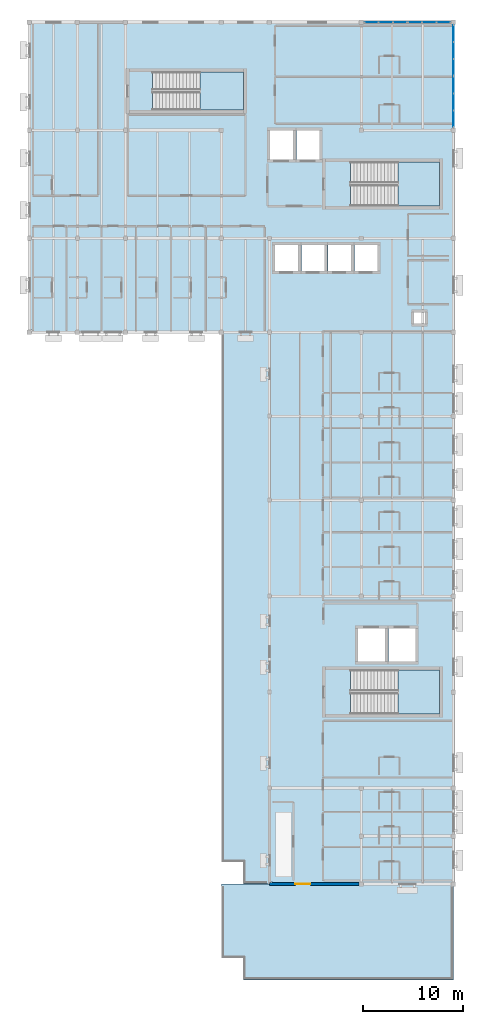
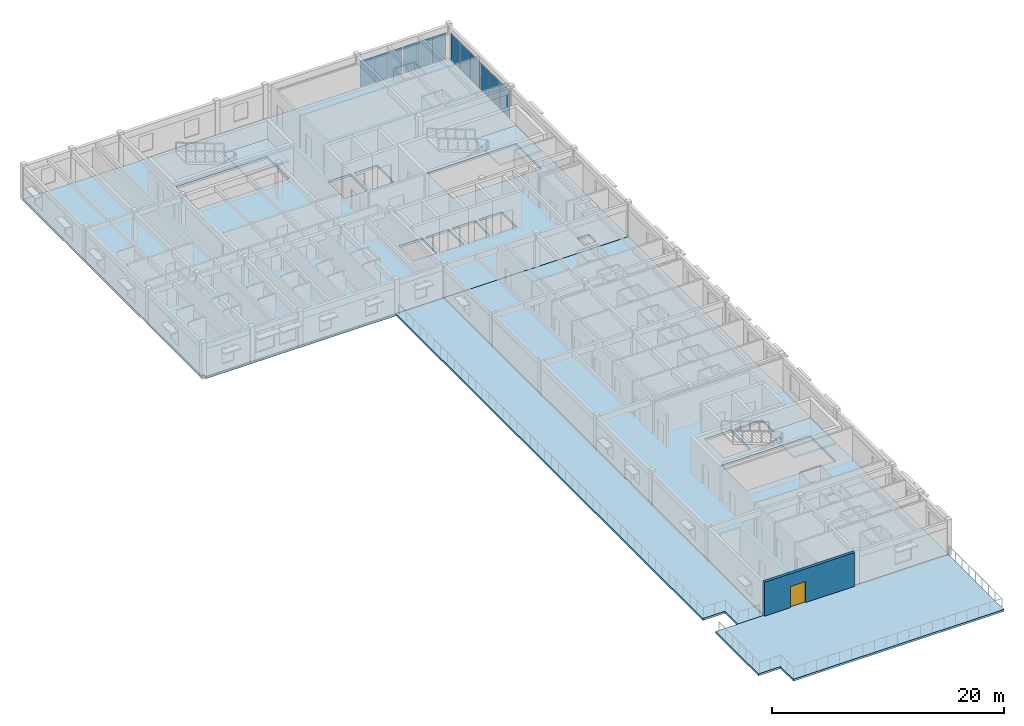
# One storey, part 4 of 18: 12 plates, 7 slabs, 1 door, 1 wall, 1 opening, 7 elements without a shape of their own.
"""IFC4 building model written with IfcOpenShell, lengths in metres."""

from ifc_helpers import new_model, si_unit, direction, frame, frame_2d, origin, origin_2d, place, context, subcontext, project, spatial, polyline, rectangle, outline, extrude, material, layer, layer_set, type_object, element, fill, aggregate, save


model = new_model("IFC4")

# Units and contexts
model_context = context("Model", 3, precision=1e-05, world=origin(), true_north=direction((0.0, 1.0)))
body_context = subcontext(model_context, "Body", "Model", "MODEL_VIEW")
ifc_project = project(units=[si_unit("LENGTHUNIT", "METRE"), si_unit("AREAUNIT", "SQUARE_METRE"), si_unit("VOLUMEUNIT", "CUBIC_METRE"), si_unit("PLANEANGLEUNIT", "RADIAN"), si_unit("MASSUNIT", "GRAM", prefix="KILO")], contexts=[model_context])

# Site, building, storey
site_placement = place(None, origin())
site = spatial("IfcSite", under=ifc_project, at=site_placement, CompositionType="ELEMENT")
building_placement = place(site_placement, origin())
building = spatial("IfcBuilding", under=site, at=building_placement, Name="Veldera Park Congress Hotel", CompositionType="ELEMENT")
storey_placement = place(building_placement, frame((0.0, 0.0, 31.39990234375)))
storey = spatial("IfcBuildingStorey", under=building, at=storey_placement, Name="L07", CompositionType="ELEMENT", Elevation=31.39990234375)

# Curtain wall, plates
ifc_material_1 = material(Name="Low-E Triple Insulating Glass Unit (SHGC 0.22)", Category="glass")
curtain_wall_type = type_object("IfcCurtainWallType", Name="CW-HTL", PredefinedType="NOTDEFINED", material=ifc_material_1)
curtain_wall_1_placement = place(storey_placement, origin())
curtain_wall_1 = element("IfcCurtainWall", 1, at=curtain_wall_1_placement, inside=storey, type_object=curtain_wall_type, Name="L07 Curtain Wall CW3-HTLNE-L07-112", PredefinedType="NOTDEFINED")
ifc_layer_1 = layer(ifc_material_1, 0.028076171875)
ifc_layer_set_1 = layer_set([ifc_layer_1], Name="Low-E Triple Insulating Glass Unit (SHGC 0.22)")
plate_type = type_object("IfcPlateType", Name="CWP-IGU28", PredefinedType="CURTAIN_PANEL", material=ifc_layer_set_1)
plate_1_placement = place(storey_placement, frame((84.0, 48.333251953125, 0.06005859375), z_axis=(0.0, 0.0, 1.0), x_axis=(0.0, 1.0, 0.0)))
plate_1 = element("IfcPlate", 2, at=plate_1_placement, type_object=plate_type, Name="CW-HTL panel 1.1", PredefinedType="CURTAIN_PANEL", context=body_context, shape_type="SweptSolid", body=[
    extrude(rectangle(XDim=1.61669921875, YDim=0.028076171875, at=origin_2d()), origin(), (0.0, 0.0, 1.0), 2.85009765625),
])
plate_2_placement = place(storey_placement, frame((84.0, 50.02490234375, 0.06005859375), z_axis=(0.0, 0.0, 1.0), x_axis=(0.0, 1.0, 0.0)))
plate_2 = element("IfcPlate", 3, at=plate_2_placement, type_object=plate_type, Name="CW-HTL panel 2.1", PredefinedType="CURTAIN_PANEL", context=body_context, shape_type="SweptSolid", body=[
    extrude(rectangle(XDim=1.646728515625, YDim=0.028076171875, at=origin_2d()), origin(), (0.0, 0.0, 1.0), 2.85009765625),
])
plate_3_placement = place(storey_placement, frame((84.0, 51.716552734375, 0.06005859375), z_axis=(0.0, 0.0, 1.0), x_axis=(0.0, 1.0, 0.0)))
plate_3 = element("IfcPlate", 4, at=plate_3_placement, type_object=plate_type, Name="CW-HTL panel 3.1", PredefinedType="CURTAIN_PANEL", context=body_context, shape_type="SweptSolid", body=[
    extrude(rectangle(XDim=1.61669921875, YDim=0.028076171875, at=origin_2d()), origin(), (0.0, 0.0, 1.0), 2.85009765625),
])
aggregate(curtain_wall_1, [plate_1, plate_2, plate_3])

curtain_wall_2_placement = place(storey_placement, origin())
curtain_wall_2 = element("IfcCurtainWall", 5, at=curtain_wall_2_placement, inside=storey, type_object=curtain_wall_type, Name="L07 Curtain Wall CW3-HTLNE-L07-113", PredefinedType="NOTDEFINED")
plate_4_placement = place(storey_placement, frame((84.0, 53.4833984375, 0.06005859375), z_axis=(0.0, 0.0, 1.0), x_axis=(0.0, 1.0, 0.0)))
plate_4 = element("IfcPlate", 6, at=plate_4_placement, type_object=plate_type, Name="CW-HTL panel 1.1", PredefinedType="CURTAIN_PANEL", context=body_context, shape_type="SweptSolid", body=[
    extrude(rectangle(XDim=1.61669921875, YDim=0.028076171875, at=origin_2d()), origin(), (0.0, 0.0, 1.0), 2.85009765625),
])
plate_5_placement = place(storey_placement, frame((84.0, 55.175048828125, 0.06005859375), z_axis=(0.0, 0.0, 1.0), x_axis=(0.0, 1.0, 0.0)))
plate_5 = element("IfcPlate", 7, at=plate_5_placement, type_object=plate_type, Name="CW-HTL panel 2.1", PredefinedType="CURTAIN_PANEL", context=body_context, shape_type="SweptSolid", body=[
    extrude(rectangle(XDim=1.646728515625, YDim=0.028076171875, at=origin_2d()), origin(), (0.0, 0.0, 1.0), 2.85009765625),
])
plate_6_placement = place(storey_placement, frame((84.0, 56.86669921875, 0.06005859375), z_axis=(0.0, 0.0, 1.0), x_axis=(0.0, 1.0, 0.0)))
plate_6 = element("IfcPlate", 8, at=plate_6_placement, type_object=plate_type, Name="CW-HTL panel 3.1", PredefinedType="CURTAIN_PANEL", context=body_context, shape_type="SweptSolid", body=[
    extrude(rectangle(XDim=1.61669921875, YDim=0.028076171875, at=origin_2d()), origin(), (0.0, 0.0, 1.0), 2.85009765625),
])
aggregate(curtain_wall_2, [plate_4, plate_5, plate_6])

curtain_wall_3_placement = place(storey_placement, origin())
curtain_wall_3 = element("IfcCurtainWall", 9, at=curtain_wall_3_placement, inside=storey, type_object=curtain_wall_type, Name="L07 Curtain Wall CW3-HTLNN-L07-114", PredefinedType="NOTDEFINED")
plate_7_placement = place(storey_placement, frame((83.0, 58.0, 0.06005859375), z_axis=(0.0, 0.0, 1.0), x_axis=(-1.0, 0.0, 0.0)))
plate_7 = element("IfcPlate", 10, at=plate_7_placement, type_object=plate_type, Name="CW-HTL panel 1.1", PredefinedType="CURTAIN_PANEL", context=body_context, shape_type="SweptSolid", body=[
    extrude(rectangle(XDim=1.35009765625, YDim=0.028076171875, at=origin_2d()), origin(), (0.0, 0.0, 1.0), 2.75),
])
plate_8_placement = place(storey_placement, frame((81.574951171875, 58.0, 0.06005859375), z_axis=(0.0, 0.0, 1.0), x_axis=(-1.0, 0.0, 0.0)))
plate_8 = element("IfcPlate", 11, at=plate_8_placement, type_object=plate_type, Name="CW-HTL panel 2.1", PredefinedType="CURTAIN_PANEL", context=body_context, shape_type="SweptSolid", body=[
    extrude(rectangle(XDim=1.3798828125, YDim=0.028076171875, at=origin_2d()), origin(), (0.0, 0.0, 1.0), 2.75),
])
plate_9_placement = place(storey_placement, frame((80.14990234375, 58.0, 0.06005859375), z_axis=(0.0, 0.0, 1.0), x_axis=(-1.0, 0.0, 0.0)))
plate_9 = element("IfcPlate", 12, at=plate_9_placement, type_object=plate_type, Name="CW-HTL panel 3.1", PredefinedType="CURTAIN_PANEL", context=body_context, shape_type="SweptSolid", body=[
    extrude(rectangle(XDim=1.35009765625, YDim=0.028076171875, at=origin_2d()), origin(), (0.0, 0.0, 1.0), 2.75),
])
aggregate(curtain_wall_3, [plate_7, plate_8, plate_9])

curtain_wall_4_placement = place(storey_placement, origin())
curtain_wall_4 = element("IfcCurtainWall", 13, at=curtain_wall_4_placement, inside=storey, type_object=curtain_wall_type, Name="L07 Curtain Wall CW3-HTLNN-L07-115", PredefinedType="NOTDEFINED")
plate_10_placement = place(storey_placement, frame((78.64990234375, 58.0, 0.06005859375), z_axis=(0.0, 0.0, 1.0), x_axis=(-1.0, 0.0, 0.0)))
plate_10 = element("IfcPlate", 14, at=plate_10_placement, type_object=plate_type, Name="CW-HTL panel 1.1", PredefinedType="CURTAIN_PANEL", context=body_context, shape_type="SweptSolid", body=[
    extrude(rectangle(XDim=1.35009765625, YDim=0.028076171875, at=origin_2d()), origin(), (0.0, 0.0, 1.0), 2.75),
])
plate_11_placement = place(storey_placement, frame((77.22509765625, 58.0, 0.06005859375), z_axis=(0.0, 0.0, 1.0), x_axis=(-1.0, 0.0, 0.0)))
plate_11 = element("IfcPlate", 15, at=plate_11_placement, type_object=plate_type, Name="CW-HTL panel 2.1", PredefinedType="CURTAIN_PANEL", context=body_context, shape_type="SweptSolid", body=[
    extrude(rectangle(XDim=1.3798828125, YDim=0.028076171875, at=origin_2d()), origin(), (0.0, 0.0, 1.0), 2.75),
])
plate_12_placement = place(storey_placement, frame((75.800048828125, 58.0, 0.06005859375), z_axis=(0.0, 0.0, 1.0), x_axis=(-1.0, 0.0, 0.0)))
plate_12 = element("IfcPlate", 16, at=plate_12_placement, type_object=plate_type, Name="CW-HTL panel 3.1", PredefinedType="CURTAIN_PANEL", context=body_context, shape_type="SweptSolid", body=[
    extrude(rectangle(XDim=1.35009765625, YDim=0.028076171875, at=origin_2d()), origin(), (0.0, 0.0, 1.0), 2.75),
])
aggregate(curtain_wall_4, [plate_10, plate_11, plate_12])

# Slabs
ifc_material_2 = material(Name="Cross-laminated timber CLT V2M1.1", Category="wood")
ifc_layer_2 = layer(ifc_material_2, 0.2451171875)
ifc_layer_set_2 = layer_set([ifc_layer_2], Name="Cross-laminated timber CLT V2M1.1")
slab_type_1 = type_object("IfcSlabType", Name="SLB-CLT245", PredefinedType="FLOOR", material=ifc_layer_set_2)
slab_1_placement = place(storey_placement, frame((0.0, 0.0, -0.244873046875)))
element("IfcSlab", 17, at=slab_1_placement, inside=storey, type_object=slab_type_1, Name="L07 Hotel East Wing CLT Floor Deck SLB-L07-V4E", PredefinedType="FLOOR", context=body_context, shape_type="SweptSolid", body=[
    extrude(outline(polyline([(65.60009765625, -27.93994140625), (65.860107421875, -27.93994140625), (65.860107421875, -28.199951171875), (84.0, -28.199951171875), (84.0, 27.0), (65.60009765625, 27.0), (65.60009765625, -27.93994140625)]), holes=[polyline([(73.715087890625, -11.199951171875), (82.60009765625, -11.199951171875), (82.60009765625, -6.800048828125), (73.715087890625, -6.800048828125), (73.715087890625, -11.199951171875)]), polyline([(74.449951171875, -5.949951171875), (77.14990234375, -5.949951171875), (77.14990234375, -2.64990234375), (74.449951171875, -2.64990234375), (74.449951171875, -5.949951171875)]), polyline([(77.5, -5.949951171875), (80.199951171875, -5.949951171875), (80.199951171875, -2.64990234375), (77.5, -2.64990234375), (77.5, -5.949951171875)])]), origin(), (0.0, 0.0, 1.0), 0.244873046875),
])
slab_2_placement = place(storey_placement, frame((0.0, 0.0, -0.244873046875)))
element("IfcSlab", 18, at=slab_2_placement, inside=storey, type_object=slab_type_1, Name="L07 Hotel North Wing CLT Floor Deck SLB-L07-V4N", PredefinedType="FLOOR", context=body_context, shape_type="SweptSolid", body=[
    extrude(outline(polyline([(41.60009765625, 27.260009765625), (41.860107421875, 27.260009765625), (41.860107421875, 27.0), (84.0, 27.0), (84.0, 58.0), (41.60009765625, 58.0), (41.60009765625, 27.260009765625)]), holes=[polyline([(73.715087890625, 39.60009765625), (82.60009765625, 39.60009765625), (82.60009765625, 44.0), (73.715087890625, 44.0), (73.715087890625, 39.60009765625)]), polyline([(53.9150390625, 49.199951171875), (63.0, 49.199951171875), (63.0, 53.0), (53.9150390625, 53.0), (53.9150390625, 49.199951171875)]), polyline([(65.64990234375, 44.25), (67.949951171875, 44.25), (67.949951171875, 47.14990234375), (65.64990234375, 47.14990234375), (65.64990234375, 44.25)]), polyline([(68.300048828125, 44.25), (70.60009765625, 44.25), (70.60009765625, 47.14990234375), (68.300048828125, 47.14990234375), (68.300048828125, 44.25)]), polyline([(66.14990234375, 33.10009765625), (68.449951171875, 33.10009765625), (68.449951171875, 35.699951171875), (66.14990234375, 35.699951171875), (66.14990234375, 33.10009765625)]), polyline([(68.800048828125, 33.10009765625), (71.10009765625, 33.10009765625), (71.10009765625, 35.699951171875), (68.800048828125, 35.699951171875), (68.800048828125, 33.10009765625)]), polyline([(71.449951171875, 33.10009765625), (73.75, 33.10009765625), (73.75, 35.699951171875), (71.449951171875, 35.699951171875), (71.449951171875, 33.10009765625)]), polyline([(74.10009765625, 33.10009765625), (76.39990234375, 33.10009765625), (76.39990234375, 35.699951171875), (74.10009765625, 35.699951171875), (74.10009765625, 33.10009765625)]), polyline([(80.0, 27.800048828125), (81.199951171875, 27.800048828125), (81.199951171875, 29.0), (80.0, 29.0), (80.0, 27.800048828125)])]), origin(), (0.0, 0.0, 1.0), 0.244873046875),
])
ifc_material_3 = material(Name="Concrete f'c 40 MPa (5,800 psi)", Category="concrete")
ifc_layer_3 = layer(ifc_material_3, 0.2099609375)
ifc_layer_set_3 = layer_set([ifc_layer_3], Name="Concrete f'c 40 MPa (5,800 psi)")
slab_type_2 = type_object("IfcSlabType", Name="SLB-TER210", PredefinedType="FLOOR", material=ifc_layer_set_3)
slab_3_placement = place(storey_placement, frame((0.0, 0.0, -0.2099609375)))
element("IfcSlab", 19, at=slab_3_placement, inside=storey, type_object=slab_type_2, Name="L07 Stepped Hotel Terrace SLB-TER-L07-S", PredefinedType="FLOOR", context=body_context, shape_type="SweptSolid", body=[
    extrude(outline(polyline([(60.800048828125, -35.60009765625), (63.0, -35.60009765625), (63.0, -37.800048828125), (84.0, -37.800048828125), (84.0, -28.199951171875), (60.800048828125, -28.199951171875), (60.800048828125, -35.60009765625)])), origin(), (0.0, 0.0, 1.0), 0.2099609375),
])
slab_4_placement = place(storey_placement, frame((0.0, 0.0, -0.2099609375)))
element("IfcSlab", 20, at=slab_4_placement, inside=storey, type_object=slab_type_2, Name="L07 Stepped Hotel Terrace SLB-TER-L07-W", PredefinedType="FLOOR", context=body_context, shape_type="SweptSolid", body=[
    extrude(outline(polyline([(60.800048828125, -26.0), (63.0, -26.0), (63.0, -28.199951171875), (65.60009765625, -28.199951171875), (65.60009765625, 27.0), (60.800048828125, 27.0), (60.800048828125, -26.0)])), origin(), (0.0, 0.0, 1.0), 0.2099609375),
])

# Stair, slab
stair_type_1 = type_object("IfcStairType", Name="ST1", PredefinedType="HALF_TURN_STAIR", material=ifc_material_3)
stair_1_placement = place(storey_placement, origin())
stair_1 = element("IfcStair", 21, at=stair_1_placement, inside=storey, type_object=stair_type_1, Name="L07 Protected Exit Stair ST1", PredefinedType="HALF_TURN_STAIR")
ifc_layer_4 = layer(ifc_material_3, 0.199951171875)
ifc_layer_set_4 = layer_set([ifc_layer_4], Name="Concrete f'c 40 MPa (5,800 psi)")
slab_type_3 = type_object("IfcSlabType", Name="SLD-ST1", PredefinedType="LANDING", material=ifc_layer_set_4)
slab_5_placement = place(storey_placement, frame((0.0, 0.0, 1.7001953125)))
slab_5 = element("IfcSlab", 22, at=slab_5_placement, type_object=slab_type_3, Name="ST1 landing 1", PredefinedType="LANDING", context=body_context, shape_type="SweptSolid", body=[
    extrude(outline(polyline([(78.445068359375, 39.60009765625), (82.60009765625, 39.60009765625), (82.60009765625, 44.0), (78.445068359375, 44.0), (78.445068359375, 39.60009765625)])), origin(), (0.0, 0.0, 1.0), 0.199951171875),
])
aggregate(stair_1, [slab_5])

stair_type_2 = type_object("IfcStairType", Name="ST2", PredefinedType="HALF_TURN_STAIR", material=ifc_material_3)
stair_2_placement = place(storey_placement, origin())
stair_2 = element("IfcStair", 23, at=stair_2_placement, inside=storey, type_object=stair_type_2, Name="L07 Protected Exit Stair ST2", PredefinedType="HALF_TURN_STAIR")
ifc_layer_5 = layer(ifc_material_3, 0.199951171875)
ifc_layer_set_5 = layer_set([ifc_layer_5], Name="Concrete f'c 40 MPa (5,800 psi)")
slab_type_4 = type_object("IfcSlabType", Name="SLD-ST2", PredefinedType="LANDING", material=ifc_layer_set_5)
slab_6_placement = place(storey_placement, frame((0.0, 0.0, 1.7001953125)))
slab_6 = element("IfcSlab", 24, at=slab_6_placement, type_object=slab_type_4, Name="ST2 landing 1", PredefinedType="LANDING", context=body_context, shape_type="SweptSolid", body=[
    extrude(outline(polyline([(78.445068359375, -11.199951171875), (82.60009765625, -11.199951171875), (82.60009765625, -6.800048828125), (78.445068359375, -6.800048828125), (78.445068359375, -11.199951171875)])), origin(), (0.0, 0.0, 1.0), 0.199951171875),
])
aggregate(stair_2, [slab_6])

stair_type_3 = type_object("IfcStairType", Name="ST3", PredefinedType="HALF_TURN_STAIR", material=ifc_material_3)
stair_3_placement = place(storey_placement, origin())
stair_3 = element("IfcStair", 25, at=stair_3_placement, inside=storey, type_object=stair_type_3, Name="L07 Protected Exit Stair ST3", PredefinedType="HALF_TURN_STAIR")
ifc_layer_6 = layer(ifc_material_3, 0.199951171875)
ifc_layer_set_6 = layer_set([ifc_layer_6], Name="Concrete f'c 40 MPa (5,800 psi)")
slab_type_5 = type_object("IfcSlabType", Name="SLD-ST3", PredefinedType="LANDING", material=ifc_layer_set_6)
slab_7_placement = place(storey_placement, frame((0.0, 0.0, 1.7001953125)))
slab_7 = element("IfcSlab", 26, at=slab_7_placement, type_object=slab_type_5, Name="ST3 landing 1", PredefinedType="LANDING", context=body_context, shape_type="SweptSolid", body=[
    extrude(outline(polyline([(58.64501953125, 49.199951171875), (63.0, 49.199951171875), (63.0, 53.0), (58.64501953125, 53.0), (58.64501953125, 49.199951171875)])), origin(), (0.0, 0.0, 1.0), 0.199951171875),
])
aggregate(stair_3, [slab_7])

# Wall, opening, door
ifc_layer_7 = layer(ifc_material_2, 0.280029296875)
ifc_layer_set_7 = layer_set([ifc_layer_7], Name="Cross-laminated timber CLT V2M1.1")
wall_type = type_object("IfcWallType", Name="EW-CLT280", PredefinedType="STANDARD", material=ifc_layer_set_7)
wall_placement = place(storey_placement, frame((65.60009765625, -28.199951171875, 0.0), z_axis=(0.0, 0.0, 1.0), x_axis=(1.0, 0.0, 0.0)))
wall = element("IfcWall", 27, at=wall_placement, inside=storey, type_object=wall_type, Name="L07 Exterior Wall EW3-L07-0340", PredefinedType="STANDARD", context=body_context, shape_type="SweptSolid", body=[
    extrude(rectangle(XDim=8.976806640625, YDim=0.280029296875, at=frame_2d((4.48828125, 0.0))), origin(), (0.0, 0.0, 1.0), 3.55517578125),
])
opening_placement = place(wall_placement, frame((2.60009765625, 0.0, 0.0)))
opening = element("IfcOpeningElement", 28, at=opening_placement, cuts=wall, Name="Opening ED-TER150", PredefinedType="OPENING", context=body_context, shape_type="SweptSolid", body=[
    extrude(rectangle(XDim=1.5, YDim=2.219970703125, at=frame_2d((0.75, 1.10986328125))), frame((0.0, 0.152099609375, 0.0), z_axis=(0.0, -1.0, 0.0), x_axis=(1.0, 0.0, 0.0)), (0.0, 0.0, 1.0), 0.303955078125),
])
ifc_material_4 = material(Name="Anodised Aluminium Alloy 6063-T6", Category="aluminium")
door_type = type_object("IfcDoorType", Name="ED-TER150", OperationType="DOUBLE_DOOR_SINGLE_SWING", PredefinedType="DOOR", material=ifc_material_4)
door_placement = place(opening_placement, frame((1.5, 0.0, 0.0), z_axis=(0.0, 0.0, 1.0), x_axis=(-1.0, 0.0, 0.0)))
door = element("IfcDoor", 29, at=door_placement, inside=storey, type_object=door_type, Name="Exterior Door TD-L07-S (DR3-EXT-L07-0026)", OperationType="DOUBLE_DOOR_SINGLE_SWING", OverallHeight=2.219970703125, OverallWidth=1.5, PredefinedType="DOOR", context=body_context, shape_type="SweptSolid", body=[
    extrude(rectangle(XDim=1.5, YDim=2.219970703125, at=frame_2d((0.75, 1.10986328125))), frame((0.0, 0.02490234375, 0.0), z_axis=(0.0, -1.0, 0.0), x_axis=(1.0, 0.0, 0.0)), (0.0, 0.0, 1.0), 0.050048828125),
])
fill(opening, door)

save(model, "model.ifc")
